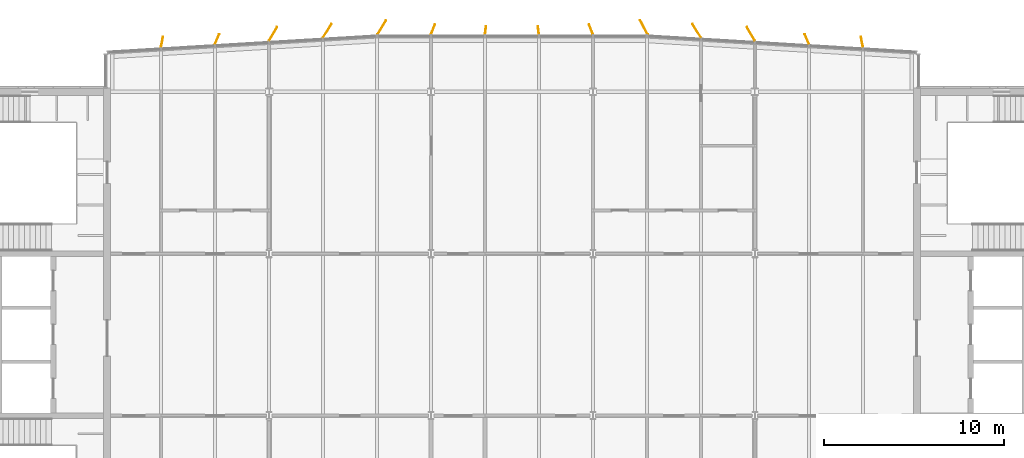
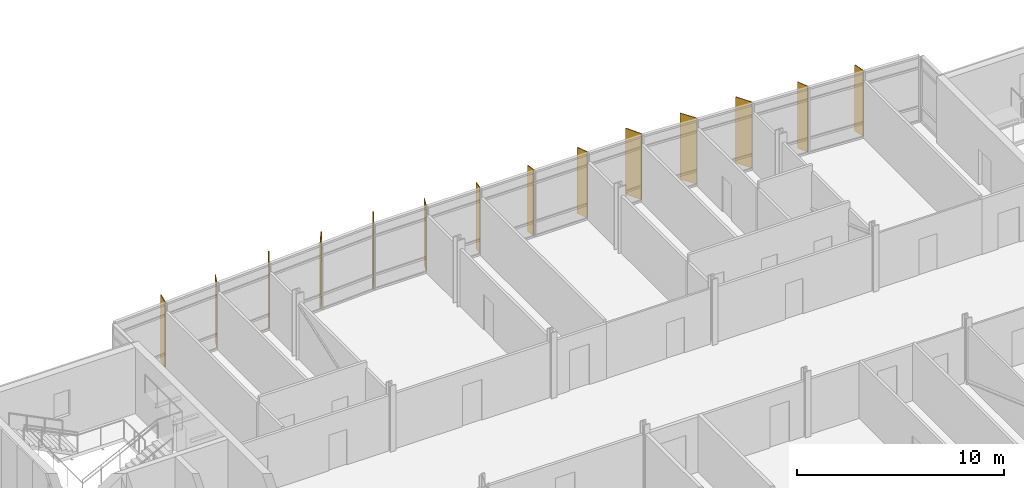
# One storey, part 18 of 18: 14 shading devices.
"""IFC4 building model written with IfcOpenShell, lengths in metres."""

from ifc_helpers import new_model, si_unit, direction, frame, origin, origin_2d, place, context, subcontext, project, spatial, rectangle, extrude, material, layer, layer_set, type_object, element, save


model = new_model("IFC4")

# Units and contexts
model_context = context("Model", 3, precision=1e-05, world=origin(), true_north=direction((0.0, 1.0)))
body_context = subcontext(model_context, "Body", "Model", "MODEL_VIEW")
ifc_project = project(units=[si_unit("LENGTHUNIT", "METRE"), si_unit("AREAUNIT", "SQUARE_METRE"), si_unit("VOLUMEUNIT", "CUBIC_METRE"), si_unit("PLANEANGLEUNIT", "RADIAN"), si_unit("MASSUNIT", "GRAM", prefix="KILO")], contexts=[model_context])

# Site, building, storey
site_placement = place(None, origin())
site = spatial("IfcSite", under=ifc_project, at=site_placement, CompositionType="ELEMENT")
building_placement = place(site_placement, origin())
building = spatial("IfcBuilding", under=site, at=building_placement, Name="Azimuth Sports and Learning Centre", CompositionType="ELEMENT")
storey_placement = place(building_placement, frame((0.0, 0.0, 63.60009765625)))
storey = spatial("IfcBuildingStorey", under=building, at=storey_placement, Name="L14", CompositionType="ELEMENT", Elevation=63.60009765625)

# Shading devices
ifc_material_1 = material(Name="Aluminium", Category="aluminium")
ifc_layer_1 = layer(ifc_material_1, 0.0400390625)
ifc_layer_set_1 = layer_set([ifc_layer_1], Name="Aluminium")
shading_device_type_1 = type_object("IfcShadingDeviceType", Name="Shading fin 450", PredefinedType="JALOUSIE", material=ifc_layer_set_1)
for number, where, z_axis, x_axis, name in (
    (1, (86.970703125, 120.403076171875, 0.0), (0.0, 0.0, 1.0), (-0.130263528306, 0.991479406338, 0.0), "Shading fin F14-021"),
    (2, (84.029296875, 120.403076171875, 0.0), (0.0, 0.0, 1.0), (0.130263528306, 0.991479406338, 0.0), "Shading fin F14-022"),
):
    element("IfcShadingDevice", number, at=place(storey_placement, frame(where, z_axis=z_axis, x_axis=x_axis)), inside=storey, type_object=shading_device_type_1, Name=name, PredefinedType="JALOUSIE", context=body_context, shape_type="SweptSolid", body=[
        extrude(rectangle(XDim=0.449951171875, YDim=0.0400390625, at=origin_2d()), origin(), (0.0, 0.0, 1.0), 3.89990234375),
    ])
ifc_material_2 = material(Name="Aluminium", Category="aluminium")
ifc_layer_2 = layer(ifc_material_2, 0.0400390625)
ifc_layer_set_2 = layer_set([ifc_layer_2], Name="Aluminium")
shading_device_type_2 = type_object("IfcShadingDeviceType", Name="Shading fin 600", PredefinedType="JALOUSIE", material=ifc_layer_set_2)
for number, where, z_axis, x_axis, name in (
    (3, (104.952392578125, 119.75390625, 0.0), (0.0, 0.0, 1.0), (-0.19438682666, 0.980924952084, 0.0), "Shading fin F14-015"),
    (4, (101.89208984375, 119.915283203125, 0.0), (0.0, 0.0, 1.0), (-0.395859673937, 0.918311014064, 0.0), "Shading fin F14-016"),
    (5, (89.8916015625, 120.459716796875, 0.0), (0.0, 0.0, 1.0), (-0.36097797694, 0.932574340288, 0.0), "Shading fin F14-020"),
    (6, (81.1083984375, 120.459716796875, 0.0), (0.0, 0.0, 1.0), (0.36097797694, 0.932574340288, 0.0), "Shading fin F14-023"),
    (7, (69.10791015625, 119.915283203125, 0.0), (0.0, 0.0, 1.0), (0.395859673937, 0.918311014064, 0.0), "Shading fin F14-027"),
    (8, (66.047607421875, 119.75390625, 0.0), (0.0, 0.0, 1.0), (0.19438682666, 0.980924952084, 0.0), "Shading fin F14-028"),
):
    element("IfcShadingDevice", number, at=place(storey_placement, frame(where, z_axis=z_axis, x_axis=x_axis)), inside=storey, type_object=shading_device_type_2, Name=name, PredefinedType="JALOUSIE", context=body_context, shape_type="SweptSolid", body=[
        extrude(rectangle(XDim=0.60009765625, YDim=0.0400390625, at=origin_2d()), origin(), (0.0, 0.0, 1.0), 3.89990234375),
    ])
ifc_material_3 = material(Name="Aluminium", Category="aluminium")
ifc_layer_3 = layer(ifc_material_3, 0.0400390625)
ifc_layer_set_3 = layer_set([ifc_layer_3], Name="Aluminium")
shading_device_type_3 = type_object("IfcShadingDeviceType", Name="Shading fin 900", PredefinedType="JALOUSIE", material=ifc_layer_set_3)
for number, where, z_axis, x_axis, name in (
    (9, (98.7802734375, 120.206298828125, 0.0), (0.0, 0.0, 1.0), (-0.512109147283, 0.858920381217, 0.0), "Shading fin F14-017"),
    (10, (95.769775390625, 120.379638671875, 0.0), (0.0, 0.0, 1.0), (-0.535372471366, 0.844616076631, 0.0), "Shading fin F14-018"),
    (11, (92.831298828125, 120.576171875, 0.0), (0.0, 0.0, 1.0), (-0.465511049865, 0.885042068183, 0.0), "Shading fin F14-019"),
    (12, (78.262939453125, 120.56494140625, 0.0), (0.0, 0.0, 1.0), (0.517682326227, 0.855572912797, 0.0), "Shading fin F14-024"),
    (13, (75.230224609375, 120.379638671875, 0.0), (0.0, 0.0, 1.0), (0.535372471366, 0.844616076631, 0.0), "Shading fin F14-025"),
    (14, (72.2197265625, 120.206298828125, 0.0), (0.0, 0.0, 1.0), (0.512109147283, 0.858920381217, 0.0), "Shading fin F14-026"),
):
    element("IfcShadingDevice", number, at=place(storey_placement, frame(where, z_axis=z_axis, x_axis=x_axis)), inside=storey, type_object=shading_device_type_3, Name=name, PredefinedType="JALOUSIE", context=body_context, shape_type="SweptSolid", body=[
        extrude(rectangle(XDim=0.89990234375, YDim=0.0400390625, at=origin_2d()), origin(), (0.0, 0.0, 1.0), 3.89990234375),
    ])

save(model, "model.ifc")
